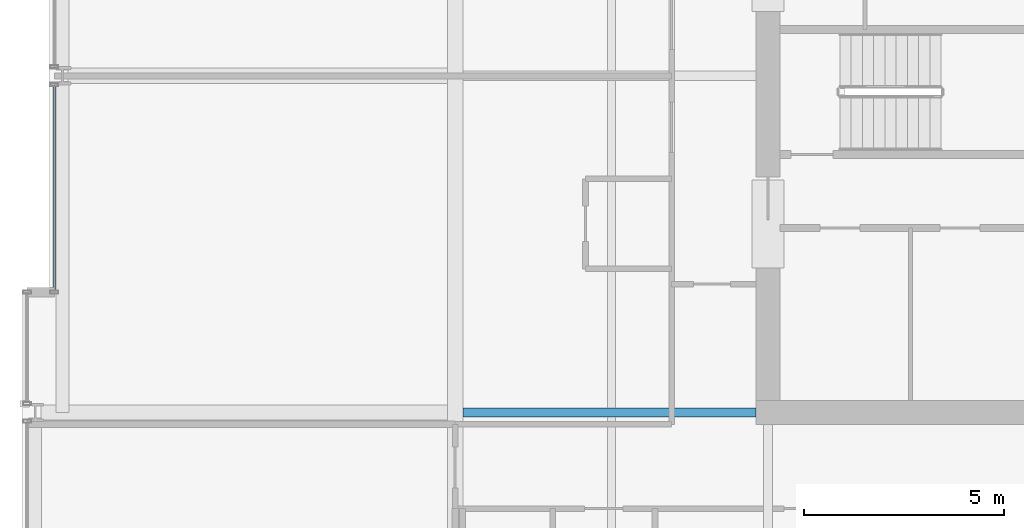
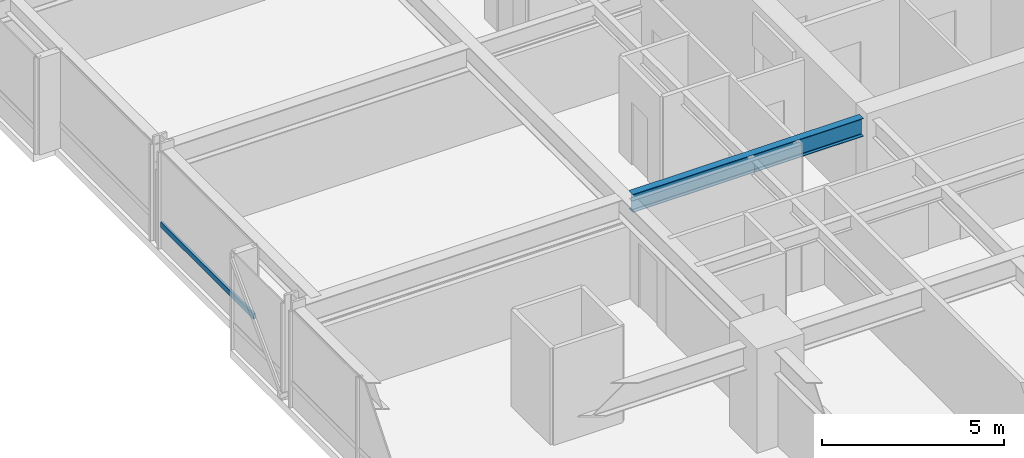
# One storey, part 8 of 34: 1 beam, 1 member, 1 element without a shape of its own.
"""IFC4 building model written with IfcOpenShell, lengths in metres."""

from ifc_helpers import new_model, si_unit, direction, frame, origin, origin_2d, place, context, subcontext, project, spatial, hollow_rectangle, i_section, extrude, material, layer, layer_set, material_profile, profile_set, type_object, element, aggregate, save


model = new_model("IFC4")

# Units and contexts
model_context = context("Model", 3, precision=1e-05, world=origin(), true_north=direction((0.0, 1.0)))
body_context = subcontext(model_context, "Body", "Model", "MODEL_VIEW")
ifc_project = project(units=[si_unit("LENGTHUNIT", "METRE"), si_unit("AREAUNIT", "SQUARE_METRE"), si_unit("VOLUMEUNIT", "CUBIC_METRE"), si_unit("PLANEANGLEUNIT", "RADIAN"), si_unit("MASSUNIT", "GRAM", prefix="KILO")], contexts=[model_context])

# Site, building, storey
site_placement = place(None, origin())
site = spatial("IfcSite", under=ifc_project, at=site_placement, CompositionType="ELEMENT")
building_placement = place(site_placement, origin())
building = spatial("IfcBuilding", under=site, at=building_placement, Name="Drelvath Grand Hotel", CompositionType="ELEMENT")
storey_placement = place(building_placement, frame((0.0, 0.0, 112.800048828125)))
storey = spatial("IfcBuildingStorey", under=building, at=storey_placement, Name="L28", CompositionType="ELEMENT", Elevation=112.800048828125)

# Curtain wall, member
ifc_material_1 = material(Name="Champagne Bronze Anodised Aluminium Frame", Category="aluminium")
ifc_layer = layer(ifc_material_1, 0.199951171875)
ifc_layer_set = layer_set([ifc_layer], Name="Champagne Bronze Anodised Aluminium Frame")
curtain_wall_type = type_object("IfcCurtainWallType", Name="Stick Curtain Wall CW-03 Champagne Bronze Mid-Rise", PredefinedType="NOTDEFINED", material=ifc_layer_set)
curtain_wall_placement = place(storey_placement, origin())
curtain_wall = element("IfcCurtainWall", 1, at=curtain_wall_placement, inside=storey, type_object=curtain_wall_type, Name="L28 CW-03 Curtain Wall CW03-L28-WM1", PredefinedType="NOTDEFINED")
ifc_material_profile_1 = material_profile(ifc_material_1, hollow_rectangle(XDim=0.074951171875, YDim=0.179931640625, WallThickness=0.0048828125, at=origin_2d()), Name="HSS180X75X5")
ifc_profile_set_1 = profile_set([ifc_material_profile_1], Name="Champagne Bronze Anodised Aluminium Frame")
member_type = type_object("IfcMemberType", Name="Curtain Wall Horizontal Transom CW-03 HSS180X75X5", PredefinedType="USERDEFINED", material=ifc_profile_set_1)
member_placement = place(storey_placement, frame((-26.199951171875, 21.639892578125, 0.81005859375), z_axis=(0.0, 1.0, 0.0), x_axis=(-1.0, 0.0, 0.0)))
member = element("IfcMember", 2, at=member_placement, type_object=member_type, Name="CW03-L28-WM1 Sill Transom", ObjectType="TRANSOM", PredefinedType="USERDEFINED", context=body_context, shape_type="SweptSolid", body=[
    extrude(hollow_rectangle(XDim=0.074951171875, YDim=0.179931640625, WallThickness=0.0048828125, at=origin_2d()), origin(), (0.0, 0.0, 1.0), 5.1005859375),
])
aggregate(curtain_wall, [member])

# Beam
ifc_material_2 = material(Name="Steel ASTM A992 Gr 50", Category="steel")
ifc_material_profile_2 = material_profile(ifc_material_2, i_section(OverallWidth=0.228271484375, OverallDepth=0.607666015625, WebThickness=0.01123046875, FlangeThickness=0.017333984375, FilletRadius=0.02001953125, at=origin_2d()), Name="W24X76")
ifc_profile_set_2 = profile_set([ifc_material_profile_2], Name="Steel ASTM A992 Gr 50")
beam_type = type_object("IfcBeamType", Name="Primary Floor Girder W24X76", PredefinedType="BEAM", material=ifc_profile_set_2)
beam_placement = place(storey_placement, frame((-16.009765625, 18.60009765625, 2.93603515625), z_axis=(1.0, 0.0, 0.0), x_axis=(0.0, 1.0, 0.0)))
element("IfcBeam", 3, at=beam_placement, inside=storey, type_object=beam_type, Name="L28 West Core Tie D", PredefinedType="BEAM", context=body_context, shape_type="SweptSolid", body=[
    extrude(i_section(OverallWidth=0.228271484375, OverallDepth=0.607666015625, WebThickness=0.01123046875, FlangeThickness=0.017333984375, FilletRadius=0.02001953125, at=origin_2d()), origin(), (0.0, 0.0, 1.0), 7.309814453125),
])

save(model, "model.ifc")
